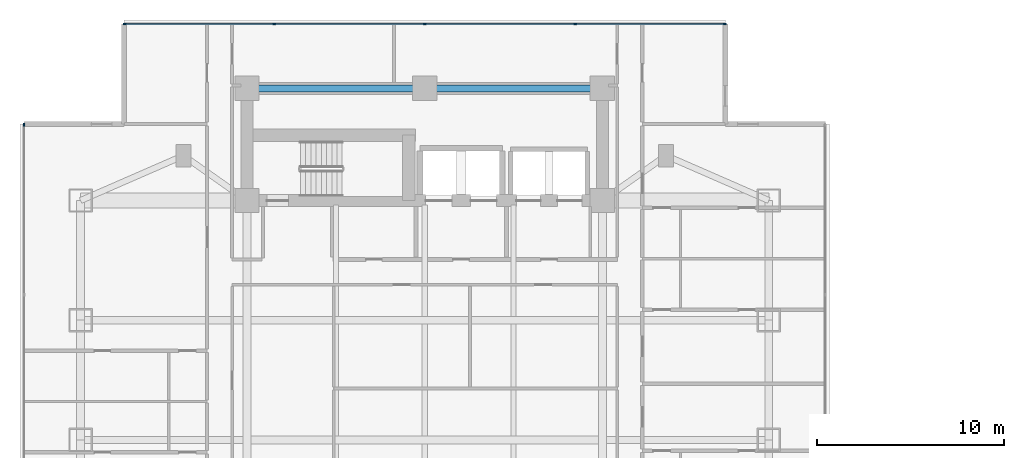
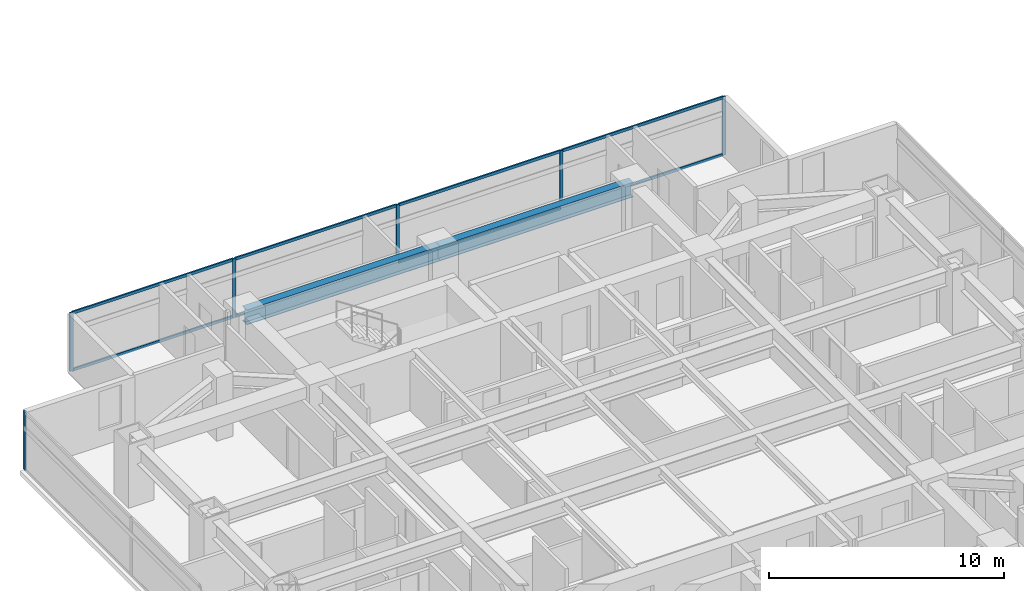
# One storey, part 6 of 24: 14 members, 2 beams, 2 elements without a shape of their own.
"""IFC4 building model written with IfcOpenShell, lengths in metres."""

import ifcopenshell
import ifcopenshell.guid

model = None  # the IFC model being written
_history = None  # IfcOwnerHistory: only IFC2X3 demands one
_inside = {}  # id of a spatial element -> (the spatial element, [elements in it])
_under = {}  # id of a project, library or spatial element -> (it, [spatial elements below it])
_declared = {}  # id of a project -> (the project, [libraries it declares])
_typed = {}  # id of a type object -> (the type object, [elements of that type])
_made_of = {}  # id of a material, layer set ... -> (it, [elements and type objects made of it])


def new_model(schema):
    """Start an empty IFC model of exactly this schema.

    Asked for "IFC4X3", IfcOpenShell would pick the latest addendum, in which some entities
    have other attributes; the version numbers below select the first issue.
    IFC2X3 requires an IfcOwnerHistory on every rooted entity: one is made here for all.
    """
    global model, _history
    if schema == "IFC4X3":
        model = ifcopenshell.file(schema_version=(4, 3, 0, 0))
    else:
        model = ifcopenshell.file(schema=schema)
    _inside.clear()
    _under.clear()
    _declared.clear()
    _typed.clear()
    _made_of.clear()
    _history = None
    if model.schema == "IFC2X3":
        org = make("IfcOrganization", Name="unknown")
        user = make(
            "IfcPersonAndOrganization",
            ThePerson=make("IfcPerson", FamilyName="unknown"),
            TheOrganization=org,
        )
        app = make(
            "IfcApplication",
            ApplicationDeveloper=org,
            Version="unknown",
            ApplicationFullName="unknown",
            ApplicationIdentifier="unknown",
        )
        _history = make(
            "IfcOwnerHistory",
            OwningUser=user,
            OwningApplication=app,
            ChangeAction="ADDED",
            CreationDate=0,
        )
    return model


def make(cls, **values):
    """One entity of the class cls with the attributes given. An attribute that is None is left unset."""
    return model.create_entity(
        cls, **{name: value for name, value in values.items() if value is not None}
    )


def rooted(cls, **values):
    """An entity with a GlobalId (a new one), such as an element, a storey or a relation."""
    return make(cls, GlobalId=ifcopenshell.guid.new(), OwnerHistory=_history, **values)


def si_unit(unit_type, name, prefix=None):
    """IfcSIUnit, for example si_unit("LENGTHUNIT", "METRE", prefix="MILLI")."""
    return make("IfcSIUnit", UnitType=unit_type, Prefix=prefix, Name=name)


def assignment(units):
    """IfcUnitAssignment: the units of a project."""
    return None if units is None else make("IfcUnitAssignment", Units=units)


def point(xyz):
    """IfcCartesianPoint."""
    return None if xyz is None else make("IfcCartesianPoint", Coordinates=xyz)


def direction(xyz):
    """IfcDirection."""
    return None if xyz is None else make("IfcDirection", DirectionRatios=xyz)


def frame(location, z_axis=None, x_axis=None):
    """IfcAxis2Placement3D, a coordinate frame: its origin and axes. An axis left out is left unset."""
    return make(
        "IfcAxis2Placement3D",
        Location=point(location),
        Axis=direction(z_axis),
        RefDirection=direction(x_axis),
    )


def frame_2d(location, x_axis=None):
    """IfcAxis2Placement2D, a coordinate frame in the plane: its origin and x axis."""
    return make(
        "IfcAxis2Placement2D", Location=point(location), RefDirection=direction(x_axis)
    )


def origin():
    """The frame at (0, 0, 0) with its axes left unset."""
    return frame((0.0, 0.0, 0.0))


def origin_2d():
    """The frame at (0, 0) in the plane with its x axis left unset."""
    return frame_2d((0.0, 0.0))


def place(relative_to, where):
    """IfcLocalPlacement: puts the frame where relative to a parent placement (None: the world)."""
    return make(
        "IfcLocalPlacement", PlacementRelTo=relative_to, RelativePlacement=where
    )


def context(
    kind, dimensions, precision=None, world=None, true_north=None, identifier=None
):
    """IfcGeometricRepresentationContext, for example the 3D "Model" context."""
    return make(
        "IfcGeometricRepresentationContext",
        ContextIdentifier=identifier,
        ContextType=kind,
        CoordinateSpaceDimension=dimensions,
        Precision=precision,
        WorldCoordinateSystem=world,
        TrueNorth=true_north,
    )


def subcontext(parent, identifier, kind, view, scale=None):
    """IfcGeometricRepresentationSubContext, for example "Body" below "Model"."""
    return make(
        "IfcGeometricRepresentationSubContext",
        ContextIdentifier=identifier,
        ContextType=kind,
        ParentContext=parent,
        TargetScale=scale,
        TargetView=view,
    )


def project(units=None, contexts=None):
    """IfcProject with its units and contexts."""
    return rooted(
        "IfcProject",
        Name="project",
        RepresentationContexts=contexts,
        UnitsInContext=assignment(units),
    )


def spatial(cls, under=None, at=None, **own):
    """A site, building, storey or space (cls), placed at a placement, below another one or the project."""
    s = rooted(cls, ObjectPlacement=at, **own)
    if under is not None:
        _under.setdefault(under.id(), (under, []))[1].append(s)
    return s


def profile(cls, at=None, kind="AREA", **sizes):
    """A parametric profile (cls). Its sizes go by their IFC names, for example OverallWidth=200.0."""
    return make(cls, ProfileType=kind, Position=at, **sizes)


def rectangle(**sizes):
    """IfcRectangleProfileDef."""
    return profile("IfcRectangleProfileDef", **sizes)


def i_section(**sizes):
    """IfcIShapeProfileDef."""
    return profile("IfcIShapeProfileDef", **sizes)


def extrude(swept, where, along, depth):
    """IfcExtrudedAreaSolid: the profile swept, set in the frame where, extruded along a direction by depth."""
    return make(
        "IfcExtrudedAreaSolid",
        SweptArea=swept,
        Position=where,
        ExtrudedDirection=direction(along),
        Depth=depth,
    )


def shape(context_of_items, identifier, shape_type, items):
    """IfcShapeRepresentation: the items that make up one representation, for example the "Body"."""
    return make(
        "IfcShapeRepresentation",
        ContextOfItems=context_of_items,
        RepresentationIdentifier=identifier,
        RepresentationType=shape_type,
        Items=items,
    )


def material(Name=None, Category=None):
    """IfcMaterial."""
    return make("IfcMaterial", Name=Name, Category=Category)


def material_profile(
    of_material, cross_section, Name=None, Category=None, Priority=None
):
    """IfcMaterialProfile: a cross section and its material."""
    return make(
        "IfcMaterialProfile",
        Name=Name,
        Material=of_material,
        Profile=cross_section,
        Priority=Priority,
        Category=Category,
    )


def profile_set(profiles, Name=None, composite=None):
    """IfcMaterialProfileSet."""
    return make(
        "IfcMaterialProfileSet",
        Name=Name,
        MaterialProfiles=profiles,
        CompositeProfile=composite,
    )


def made_of(thing, what):
    """Note that an element or type object is made of a material, layer set ...; save() writes the relation."""
    if what is not None:
        _made_of.setdefault(what.id(), (what, []))[1].append(thing)
    return thing


def type_object(cls, material=None, **own):
    """A type object (cls), such as IfcWallType, which elements share."""
    return made_of(rooted(cls, **own), material)


def element(
    cls,
    number,
    at=None,
    inside=None,
    cuts=None,
    type_object=None,
    material=None,
    context=None,
    identifier="Body",
    shape_type=None,
    held_by="IfcProductDefinitionShape",
    body=None,
    shapes=None,
    **own,
):
    """One element of the class cls, such as IfcWall. Its Tag is "e" and its number.

    at: its placement. inside: the storey or other place that contains it. cuts: it is an
    opening in that element (IfcRelVoidsElement). A single representation is given by context,
    identifier, shape_type and body (its items); several are given by shapes. held_by: the class
    of the entity that holds the representations. save() writes the other relations.
    """
    e = rooted(cls, Tag="e%d" % number, ObjectPlacement=at, **own)
    if body is not None:
        shapes = [shape(context, identifier, shape_type, body)]
    if shapes is not None:
        e.Representation = make(held_by, Representations=shapes)
    if inside is not None:
        _inside.setdefault(inside.id(), (inside, []))[1].append(e)
    if cuts is not None:
        rooted(
            "IfcRelVoidsElement", RelatingBuildingElement=cuts, RelatedOpeningElement=e
        )
    if type_object is not None:
        _typed.setdefault(type_object.id(), (type_object, []))[1].append(e)
    return made_of(e, material)


def aggregate(whole, parts):
    """IfcRelAggregates: a whole, such as a stair, and the parts it consists of."""
    return rooted("IfcRelAggregates", RelatingObject=whole, RelatedObjects=parts)


def save(model, path):
    """Write the relations noted so far, then the file.

    IfcRelAggregates (storeys below a building ...), IfcRelContainedInSpatialStructure (elements
    in a storey), IfcRelDefinesByType, IfcRelAssociatesMaterial and IfcRelDeclares: one each for
    every whole, place, type object, material and project.
    """
    for whole, parts in _under.values():
        aggregate(whole, parts)
    for where, things in _inside.values():
        rooted(
            "IfcRelContainedInSpatialStructure",
            RelatedElements=things,
            RelatingStructure=where,
        )
    for kind, things in _typed.values():
        rooted("IfcRelDefinesByType", RelatedObjects=things, RelatingType=kind)
    for what, things in _made_of.values():
        rooted("IfcRelAssociatesMaterial", RelatedObjects=things, RelatingMaterial=what)
    for by, libraries in _declared.values():
        rooted("IfcRelDeclares", RelatingContext=by, RelatedDefinitions=libraries)
    model.write(path)


model = new_model("IFC4")

# Units and contexts
model_context = context("Model", 3, precision=1e-05, world=origin(), true_north=direction((0.0, 1.0)))
body_context = subcontext(model_context, "Body", "Model", "MODEL_VIEW")
ifc_project = project(units=[si_unit("LENGTHUNIT", "METRE"), si_unit("AREAUNIT", "SQUARE_METRE"), si_unit("VOLUMEUNIT", "CUBIC_METRE"), si_unit("PLANEANGLEUNIT", "RADIAN"), si_unit("MASSUNIT", "GRAM", prefix="KILO")], contexts=[model_context])

# Site, building, storey
site_placement = place(None, origin())
site = spatial("IfcSite", under=ifc_project, at=site_placement, CompositionType="ELEMENT")
building_placement = place(site_placement, origin())
building = spatial("IfcBuilding", under=site, at=building_placement, Name="Mirazonda Arch Towers", CompositionType="ELEMENT")
storey_placement = place(building_placement, frame((0.0, 0.0, 62.0)))
storey = spatial("IfcBuildingStorey", under=building, at=storey_placement, Name="L17", CompositionType="ELEMENT", Elevation=62.0)

# Beams
ifc_material_1 = material(Name="Steel ASTM A992 Grade 50", Category="steel")
ifc_material_profile_1 = material_profile(ifc_material_1, i_section(OverallWidth=0.381103515625, OverallDepth=0.77294921875, WebThickness=0.0166015625, FlangeThickness=0.027099609375, at=origin_2d()), Name="W30X173")
ifc_profile_set_1 = profile_set([ifc_material_profile_1], Name="Steel ASTM A992 Grade 50")
beam_type = type_object("IfcBeamType", Name="BM-INT-W30X173", PredefinedType="USERDEFINED", material=ifc_profile_set_1)
for number, where, z_axis, x_axis, name in (
    (1, (11.0, 43.60009765625, 2.673583984375), (1.0, 0.0, 0.0), (0.0, 1.0, 0.0), "L17 Floor Beam BM-T1-L17-CN1"),
    (2, (20.5, 43.60009765625, 2.673583984375), (1.0, 0.0, 0.0), (0.0, 1.0, 0.0), "L17 Floor Beam BM-T1-L17-CN2"),
):
    element("IfcBeam", number, at=place(storey_placement, frame(where, z_axis=z_axis, x_axis=x_axis)), inside=storey, type_object=beam_type, Name=name, ObjectType="GIRDER", PredefinedType="USERDEFINED", context=body_context, shape_type="SweptSolid", body=[
        extrude(i_section(OverallWidth=0.381103515625, OverallDepth=0.77294921875, WebThickness=0.0166015625, FlangeThickness=0.027099609375, at=origin_2d()), origin(), (0.0, 0.0, 1.0), 9.5),
    ])

# Curtain wall, members
ifc_material_2 = material(Name="Anodised Aluminium and Low-E Glass", Category="aluminium")
curtain_wall_type = type_object("IfcCurtainWallType", Name="CW-HTL-UNIT", PredefinedType="NOTDEFINED", material=ifc_material_2)
curtain_wall_1_placement = place(storey_placement, origin())
curtain_wall_1 = element("IfcCurtainWall", 3, at=curtain_wall_1_placement, inside=storey, type_object=curtain_wall_type, Name="L17 T1 N Facade CW-L17-T1-N", PredefinedType="NOTDEFINED")
ifc_material_3 = material(Name="Anodised Aluminium Alloy", Category="aluminium")
ifc_material_profile_2 = material_profile(ifc_material_3, rectangle(XDim=0.074951171875, YDim=0.1650390625, at=origin_2d()), Name="ALU-MULL-75x165")
ifc_profile_set_2 = profile_set([ifc_material_profile_2], Name="Anodised Aluminium Alloy")
member_type_1 = type_object("IfcMemberType", Name="MULL-CW-HTL-UNIT", PredefinedType="MULLION", material=ifc_profile_set_2)
member_1_placement = place(storey_placement, frame((4.45751953125, 47.033935546875, 0.0), z_axis=(0.0, 0.0, 1.0), x_axis=(0.0, 1.0, 0.0)))
member_1 = element("IfcMember", 4, at=member_1_placement, type_object=member_type_1, Name="CW-112 mullion 1", PredefinedType="MULLION", context=body_context, shape_type="SweptSolid", body=[
    extrude(rectangle(XDim=0.074951171875, YDim=0.1650390625, at=origin_2d()), origin(), (0.0, 0.0, 1.0), 3.0400390625),
])
member_2_placement = place(storey_placement, frame((12.4599609375, 47.033935546875, 0.0), z_axis=(0.0, 0.0, 1.0), x_axis=(0.0, 1.0, 0.0)))
member_2 = element("IfcMember", 5, at=member_2_placement, type_object=member_type_1, Name="CW-112 mullion 2", PredefinedType="MULLION", context=body_context, shape_type="SweptSolid", body=[
    extrude(rectangle(XDim=0.074951171875, YDim=0.1650390625, at=origin_2d()), origin(), (0.0, 0.0, 1.0), 3.0400390625),
])
member_3_placement = place(storey_placement, frame((20.5, 47.033935546875, 0.0), z_axis=(0.0, 0.0, 1.0), x_axis=(0.0, 1.0, 0.0)))
member_3 = element("IfcMember", 6, at=member_3_placement, type_object=member_type_1, Name="CW-112 mullion 3", PredefinedType="MULLION", context=body_context, shape_type="SweptSolid", body=[
    extrude(rectangle(XDim=0.074951171875, YDim=0.1650390625, at=origin_2d()), origin(), (0.0, 0.0, 1.0), 3.0400390625),
])
member_4_placement = place(storey_placement, frame((28.5400390625, 47.033935546875, 0.0), z_axis=(0.0, 0.0, 1.0), x_axis=(0.0, 1.0, 0.0)))
member_4 = element("IfcMember", 7, at=member_4_placement, type_object=member_type_1, Name="CW-112 mullion 4", PredefinedType="MULLION", context=body_context, shape_type="SweptSolid", body=[
    extrude(rectangle(XDim=0.074951171875, YDim=0.1650390625, at=origin_2d()), origin(), (0.0, 0.0, 1.0), 3.0400390625),
])
member_5_placement = place(storey_placement, frame((36.54248046875, 47.033935546875, 0.0), z_axis=(0.0, 0.0, 1.0), x_axis=(0.0, 1.0, 0.0)))
member_5 = element("IfcMember", 8, at=member_5_placement, type_object=member_type_1, Name="CW-112 mullion 5", PredefinedType="MULLION", context=body_context, shape_type="SweptSolid", body=[
    extrude(rectangle(XDim=0.074951171875, YDim=0.1650390625, at=origin_2d()), origin(), (0.0, 0.0, 1.0), 3.0400390625),
])

# Curtain wall, member
curtain_wall_2_placement = place(storey_placement, origin())
curtain_wall_2 = element("IfcCurtainWall", 9, at=curtain_wall_2_placement, inside=storey, type_object=curtain_wall_type, Name="L17 T1 W Facade CW-L17-T1-W", PredefinedType="NOTDEFINED")
member_6_placement = place(storey_placement, frame((-0.919921875, 41.656494140625, 0.0), z_axis=(0.0, 0.0, 1.0), x_axis=(1.0, 0.0, 0.0)))
member_6 = element("IfcMember", 10, at=member_6_placement, type_object=member_type_1, Name="CW-112 mullion 1", PredefinedType="MULLION", context=body_context, shape_type="SweptSolid", body=[
    extrude(rectangle(XDim=0.074951171875, YDim=0.1650390625, at=origin_2d()), origin(), (0.0, 0.0, 1.0), 3.0400390625),
])
aggregate(curtain_wall_2, [member_6])

# Member
ifc_material_profile_3 = material_profile(ifc_material_3, rectangle(XDim=0.074951171875, YDim=0.14501953125, at=origin_2d()), Name="ALU-TRAN-75x145")
ifc_profile_set_3 = profile_set([ifc_material_profile_3], Name="Anodised Aluminium Alloy")
member_type_2 = type_object("IfcMemberType", Name="TRAN-CW-HTL-UNIT", PredefinedType="USERDEFINED", material=ifc_profile_set_3)
member_7_placement = place(storey_placement, frame((4.4951171875, 47.033935546875, 0.03759765625), z_axis=(1.0, 0.0, 0.0), x_axis=(0.0, 1.0, 0.0)))
member_7 = element("IfcMember", 11, at=member_7_placement, type_object=member_type_2, Name="CW-112 transom 1.1", ObjectType="TRANSOM", PredefinedType="USERDEFINED", context=body_context, shape_type="SweptSolid", body=[
    extrude(rectangle(XDim=0.074951171875, YDim=0.14501953125, at=origin_2d()), origin(), (0.0, 0.0, 1.0), 7.927490234375),
])

member_8_placement = place(storey_placement, frame((4.4951171875, 47.033935546875, 3.00244140625), z_axis=(1.0, 0.0, 0.0), x_axis=(0.0, 1.0, 0.0)))
member_8 = element("IfcMember", 12, at=member_8_placement, type_object=member_type_2, Name="CW-112 transom 1.2", ObjectType="TRANSOM", PredefinedType="USERDEFINED", context=body_context, shape_type="SweptSolid", body=[
    extrude(rectangle(XDim=0.074951171875, YDim=0.14501953125, at=origin_2d()), origin(), (0.0, 0.0, 1.0), 7.927490234375),
])

member_9_placement = place(storey_placement, frame((12.49755859375, 47.033935546875, 0.03759765625), z_axis=(1.0, 0.0, 0.0), x_axis=(0.0, 1.0, 0.0)))
member_9 = element("IfcMember", 13, at=member_9_placement, type_object=member_type_2, Name="CW-112 transom 2.1", ObjectType="TRANSOM", PredefinedType="USERDEFINED", context=body_context, shape_type="SweptSolid", body=[
    extrude(rectangle(XDim=0.074951171875, YDim=0.14501953125, at=origin_2d()), origin(), (0.0, 0.0, 1.0), 7.96484375),
])

member_10_placement = place(storey_placement, frame((12.49755859375, 47.033935546875, 3.00244140625), z_axis=(1.0, 0.0, 0.0), x_axis=(0.0, 1.0, 0.0)))
member_10 = element("IfcMember", 14, at=member_10_placement, type_object=member_type_2, Name="CW-112 transom 2.2", ObjectType="TRANSOM", PredefinedType="USERDEFINED", context=body_context, shape_type="SweptSolid", body=[
    extrude(rectangle(XDim=0.074951171875, YDim=0.14501953125, at=origin_2d()), origin(), (0.0, 0.0, 1.0), 7.96484375),
])

member_11_placement = place(storey_placement, frame((20.53759765625, 47.033935546875, 0.03759765625), z_axis=(1.0, 0.0, 0.0), x_axis=(0.0, 1.0, 0.0)))
member_11 = element("IfcMember", 15, at=member_11_placement, type_object=member_type_2, Name="CW-112 transom 3.1", ObjectType="TRANSOM", PredefinedType="USERDEFINED", context=body_context, shape_type="SweptSolid", body=[
    extrude(rectangle(XDim=0.074951171875, YDim=0.14501953125, at=origin_2d()), origin(), (0.0, 0.0, 1.0), 7.96484375),
])

member_12_placement = place(storey_placement, frame((20.53759765625, 47.033935546875, 3.00244140625), z_axis=(1.0, 0.0, 0.0), x_axis=(0.0, 1.0, 0.0)))
member_12 = element("IfcMember", 16, at=member_12_placement, type_object=member_type_2, Name="CW-112 transom 3.2", ObjectType="TRANSOM", PredefinedType="USERDEFINED", context=body_context, shape_type="SweptSolid", body=[
    extrude(rectangle(XDim=0.074951171875, YDim=0.14501953125, at=origin_2d()), origin(), (0.0, 0.0, 1.0), 7.96484375),
])

member_13_placement = place(storey_placement, frame((28.577392578125, 47.033935546875, 0.03759765625), z_axis=(1.0, 0.0, 0.0), x_axis=(0.0, 1.0, 0.0)))
member_13 = element("IfcMember", 17, at=member_13_placement, type_object=member_type_2, Name="CW-112 transom 4.1", ObjectType="TRANSOM", PredefinedType="USERDEFINED", context=body_context, shape_type="SweptSolid", body=[
    extrude(rectangle(XDim=0.074951171875, YDim=0.14501953125, at=origin_2d()), origin(), (0.0, 0.0, 1.0), 7.927490234375),
])

member_14_placement = place(storey_placement, frame((28.577392578125, 47.033935546875, 3.00244140625), z_axis=(1.0, 0.0, 0.0), x_axis=(0.0, 1.0, 0.0)))
member_14 = element("IfcMember", 18, at=member_14_placement, type_object=member_type_2, Name="CW-112 transom 4.2", ObjectType="TRANSOM", PredefinedType="USERDEFINED", context=body_context, shape_type="SweptSolid", body=[
    extrude(rectangle(XDim=0.074951171875, YDim=0.14501953125, at=origin_2d()), origin(), (0.0, 0.0, 1.0), 7.927490234375),
])

aggregate(curtain_wall_1, [member_1, member_2, member_3, member_4, member_5, member_7, member_8, member_9, member_10, member_11, member_12, member_13, member_14])

save(model, "model.ifc")
